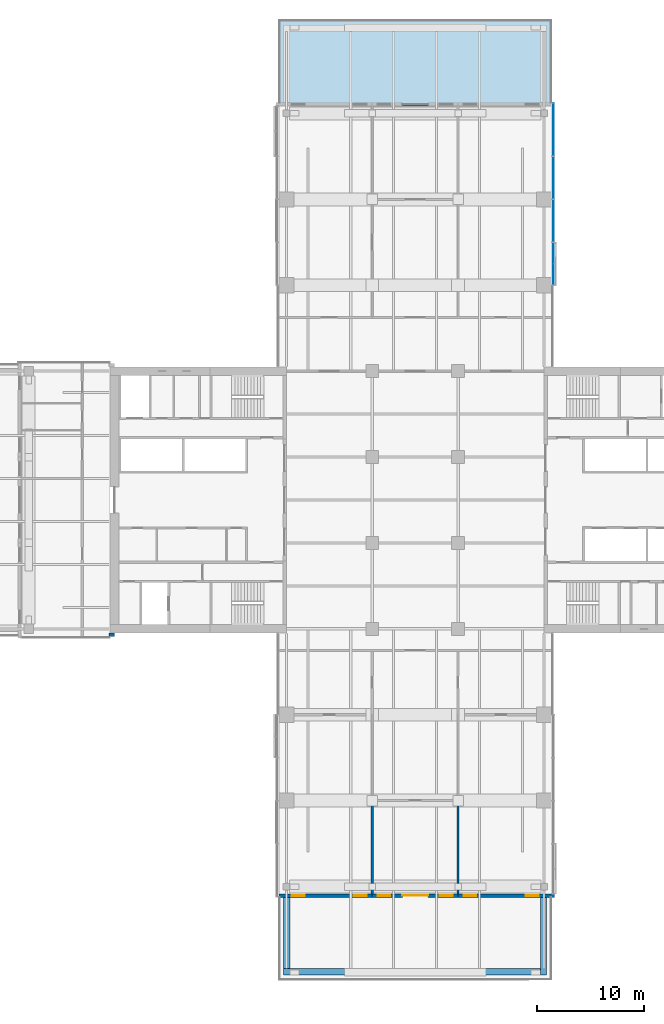
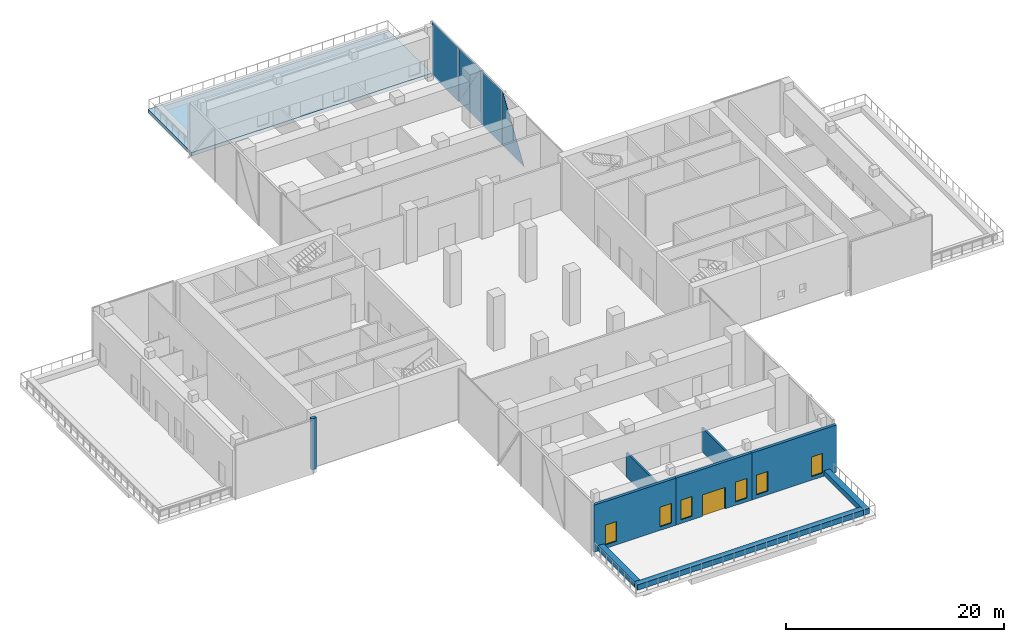
# One storey, part 13 of 23: 9 walls, 6 windows, 5 plates, 1 door, 1 slab, 7 openings, 1 element without a shape of its own.
"""IFC4 building model written with IfcOpenShell, lengths in metres."""

from ifc_helpers import new_model, si_unit, direction, frame, frame_2d, origin, place, context, subcontext, project, spatial, polyline, rectangle, outline, extrude, material, layer, layer_set, type_object, element, fill, aggregate, save


model = new_model("IFC4")

# Units and contexts
model_context = context("Model", 3, precision=1e-05, world=origin(), true_north=direction((0.0, 1.0)))
body_context = subcontext(model_context, "Body", "Model", "MODEL_VIEW")
ifc_project = project(units=[si_unit("LENGTHUNIT", "METRE"), si_unit("AREAUNIT", "SQUARE_METRE"), si_unit("VOLUMEUNIT", "CUBIC_METRE"), si_unit("PLANEANGLEUNIT", "RADIAN"), si_unit("MASSUNIT", "GRAM", prefix="KILO")], contexts=[model_context])

# Site, building, storey
site_placement = place(None, origin())
site = spatial("IfcSite", under=ifc_project, at=site_placement, CompositionType="ELEMENT")
building_placement = place(site_placement, origin())
building = spatial("IfcBuilding", under=site, at=building_placement, Name="Crosswind Convention Tower", CompositionType="ELEMENT")
storey_placement = place(building_placement, frame((0.0, 0.0, 47.5)))
storey = spatial("IfcBuildingStorey", under=building, at=storey_placement, Name="L06", CompositionType="ELEMENT", Elevation=47.5)

# Slab
ifc_material_1 = material(Name="Concrete C40/50", Category="concrete")
ifc_layer_1 = layer(ifc_material_1, 0.39990234375)
ifc_layer_set_1 = layer_set([ifc_layer_1], Name="Concrete C40/50")
slab_type = type_object("IfcSlabType", Name="TERRACE SLAB 400", PredefinedType="USERDEFINED", material=ifc_layer_set_1)
slab_placement = place(storey_placement, frame((0.0, 0.0, -0.39990234375)))
element("IfcSlab", 1, at=slab_placement, inside=storey, type_object=slab_type, Name="Terrace L06 N", ObjectType="TERRACE", PredefinedType="USERDEFINED", context=body_context, shape_type="SweptSolid", body=[
    extrude(outline(polyline([(113.0, 144.699951171875), (137.0, 144.699951171875), (137.699951171875, 144.699951171875), (137.699951171875, 144.0), (137.699951171875, 136.699951171875), (137.0, 136.699951171875), (113.0, 136.699951171875), (112.300048828125, 136.699951171875), (112.300048828125, 144.0), (112.300048828125, 144.699951171875), (113.0, 144.699951171875)])), origin(), (0.0, 0.0, 1.0), 0.39990234375),
])

# Curtain wall, plates
ifc_material_2 = material(Name="Aluminium unitised curtain wall", Category="aluminium")
curtain_wall_type = type_object("IfcCurtainWallType", Name="SKY LOBBY AND LOUNGE WALL 280", PredefinedType="USERDEFINED", material=ifc_material_2)
curtain_wall_placement = place(storey_placement, origin())
curtain_wall = element("IfcCurtainWall", 2, at=curtain_wall_placement, inside=storey, type_object=curtain_wall_type, Name="CW4 L06 N-E 1", ObjectType="UNITISED", PredefinedType="USERDEFINED")
ifc_material_3 = material(Name="Laminated insulating glass unit", Category="glass")
ifc_layer_2 = layer(ifc_material_3, 0.0400390625)
ifc_layer_set_2 = layer_set([ifc_layer_2], Name="TRIANGULAR GLASS PANEL 40")
plate_type = type_object("IfcPlateType", Name="TRIANGULAR GLASS PANEL 40", PredefinedType="CURTAIN_PANEL", material=ifc_layer_set_2)
plate_1_placement = place(storey_placement, frame((137.881103515625, 123.96240234375, -0.39990234375), z_axis=(0.999999933536, 0.0, 0.000364593859), x_axis=(-0.000364593859, 0.0, 0.999999933536)))
plate_1 = element("IfcPlate", 3, at=plate_1_placement, type_object=plate_type, Name="CW4 panel 1.1", PredefinedType="CURTAIN_PANEL", context=body_context, shape_type="SweptSolid", body=[
    extrude(outline(polyline([(0.0, 0.0), (6.02661172867979, 0.0), (0.0, 3.913085937500001), (0.0, 0.0)])), origin(), (0.0, 0.0, -1.0), 0.0400390625),
])
plate_2_placement = place(storey_placement, frame((137.881103515625, 124.03759765625, -0.39990234375), z_axis=(0.999999933938, 0.0, 0.000363489475), x_axis=(0.0, 1.0, 0.0)))
plate_2 = element("IfcPlate", 4, at=plate_2_placement, type_object=plate_type, Name="CW4 panel 2.1", PredefinedType="CURTAIN_PANEL", context=body_context, shape_type="SweptSolid", body=[
    extrude(outline(polyline([(0.0, 0.0), (3.9248046875, 0.0), (3.9248046875, 6.044922274341477), (0.0, 6.044922274341477), (0.0, 0.0)])), origin(), (0.0, 0.0, -1.0), 0.0400390625),
])
plate_3_placement = place(storey_placement, frame((137.87890625, 131.96240234375, 5.64501953125), z_axis=(0.999999933536, 0.0, 0.000364593859), x_axis=(0.0, -1.0, 0.0)))
plate_3 = element("IfcPlate", 5, at=plate_3_placement, type_object=plate_type, Name="CW4 panel 3.1", PredefinedType="CURTAIN_PANEL", context=body_context, shape_type="SweptSolid", body=[
    extrude(outline(polyline([(0.0, 0.0), (3.9130859375, 0.0), (0.0, 6.02661172867979), (0.0, 0.0)])), origin(), (0.0, 0.0, -1.0), 0.0400390625),
])
plate_4_placement = place(storey_placement, frame((137.923095703125, 128.03759765625, -0.39990234375), z_axis=(0.999999933536, 0.0, 0.000364593859), x_axis=(0.0, 1.0, 0.0)))
plate_4 = element("IfcPlate", 6, at=plate_4_placement, type_object=plate_type, Name="CW4 panel 3.2", PredefinedType="CURTAIN_PANEL", context=body_context, shape_type="SweptSolid", body=[
    extrude(outline(polyline([(0.0, 0.0), (3.9130859375, 0.0), (0.0, 6.02661172867979), (0.0, 0.0)])), origin(), (0.0, 0.0, -1.0), 0.0400390625),
])
plate_5_placement = place(storey_placement, frame((137.881103515625, 132.03759765625, -0.39990234375), z_axis=(0.999999933938, 0.0, 0.000363489475), x_axis=(0.0, 1.0, 0.0)))
plate_5 = element("IfcPlate", 7, at=plate_5_placement, type_object=plate_type, Name="CW4 panel 4.1", PredefinedType="CURTAIN_PANEL", context=body_context, shape_type="SweptSolid", body=[
    extrude(outline(polyline([(0.0, 0.0), (4.887451171875, 0.0), (4.887451171875, 6.044922274341477), (0.0, 6.044922274341477), (0.0, 0.0)])), origin(), (0.0, 0.0, -1.0), 0.0400390625),
])
aggregate(curtain_wall, [plate_1, plate_2, plate_3, plate_4, plate_5])

# Walls
ifc_material_4 = material(Name="Double plasterboard partition", Category="gypsum")
ifc_layer_3 = layer(ifc_material_4, 0.199951171875)
ifc_layer_set_3 = layer_set([ifc_layer_3], Name="HALL WALL 200")
wall_type_1 = type_object("IfcWallType", Name="HALL WALL 200", PredefinedType="PARTITIONING", material=ifc_layer_set_3)
for number, where, z_axis, x_axis, name in (
    (8, (121.0, 63.300048828125, 0.0), (0.0, 0.0, 1.0), (0.0, 1.0, 0.0), "Hall Wall 18"),
    (9, (129.0, 63.300048828125, 0.0), (0.0, 0.0, 1.0), (0.0, 1.0, 0.0), "Hall Wall 22"),
):
    element("IfcWall", number, at=place(storey_placement, frame(where, z_axis=z_axis, x_axis=x_axis)), inside=storey, type_object=wall_type_1, Name=name, PredefinedType="PARTITIONING", context=body_context, shape_type="SweptSolid", body=[
        extrude(rectangle(XDim=8.699951171875, YDim=0.199951171875, at=frame_2d((4.35009765625, 0.0))), origin(), (0.0, 0.0, 1.0), 2.699951171875),
    ])
ifc_material_5 = material(Name="Concrete C30/37", Category="concrete")
ifc_layer_4 = layer(ifc_material_5, 0.60009765625)
ifc_layer_set_4 = layer_set([ifc_layer_4], Name="Concrete C30/37")
wall_type_2 = type_object("IfcWallType", Name="PLANTER BOX WALL 600", PredefinedType="SOLIDWALL", material=ifc_layer_set_4)
wall_1_placement = place(storey_placement, frame((136.949951171875, 63.0, 0.0), z_axis=(0.0, 0.0, 1.0), x_axis=(0.0, -1.0, 0.0)))
element("IfcWall", 10, at=wall_1_placement, inside=storey, type_object=wall_type_2, Name="PLANTER L06 S 1", PredefinedType="SOLIDWALL", context=body_context, shape_type="SweptSolid", body=[
    extrude(rectangle(XDim=7.25, YDim=0.60009765625, at=frame_2d((3.625, 0.0))), origin(), (0.0, 0.0, 1.0), 0.60009765625),
])
wall_2_placement = place(storey_placement, frame((136.64990234375, 56.050048828125, 0.0), z_axis=(0.0, 0.0, 1.0), x_axis=(-1.0, 0.0, 0.0)))
element("IfcWall", 11, at=wall_2_placement, inside=storey, type_object=wall_type_2, Name="PLANTER L06 S 2", PredefinedType="SOLIDWALL", context=body_context, shape_type="SweptSolid", body=[
    extrude(rectangle(XDim=23.89990234375, YDim=0.60009765625, at=frame_2d((11.949951171875, 0.0))), origin(), (0.0, 0.0, 1.0), 0.60009765625),
])
wall_3_placement = place(storey_placement, frame((113.050048828125, 56.35009765625, 0.0), z_axis=(0.0, 0.0, 1.0), x_axis=(0.0, 1.0, 0.0)))
element("IfcWall", 12, at=wall_3_placement, inside=storey, type_object=wall_type_2, Name="PLANTER L06 S 3", PredefinedType="SOLIDWALL", context=body_context, shape_type="SweptSolid", body=[
    extrude(rectangle(XDim=6.64990234375, YDim=0.60009765625, at=frame_2d((3.324951171875, 0.0))), origin(), (0.0, 0.0, 1.0), 0.60009765625),
])
ifc_material_6 = material(Name="Terracotta rainscreen", Category="ceramic")
ifc_layer_5 = layer(ifc_material_6, 0.02001953125)
ifc_material_7 = material(Name="Mineral wool insulation", Category="insulation")
ifc_layer_6 = layer(ifc_material_7, 0.10009765625)
ifc_material_8 = material(Name="Concrete blockwork", Category="masonry")
ifc_layer_7 = layer(ifc_material_8, 0.199951171875)
ifc_layer_set_5 = layer_set([ifc_layer_5, ifc_layer_6, ifc_layer_7], Name="TERRACOTTA CORNER INFILL WALL 320")
wall_type_3 = type_object("IfcWallType", Name="TERRACOTTA CORNER INFILL WALL 320", PredefinedType="SOLIDWALL", material=ifc_layer_set_5)
wall_4_placement = place(storey_placement, frame((96.4951171875, 87.4599609375, 0.0), z_axis=(0.0, 0.0, 1.0), x_axis=(1.0, 0.0, 0.0)))
element("IfcWall", 13, at=wall_4_placement, inside=storey, type_object=wall_type_3, Name="Core corner infill wall L06 3", PredefinedType="SOLIDWALL", context=body_context, shape_type="SweptSolid", body=[
    extrude(rectangle(XDim=0.5048828125, YDim=0.320068359375, at=frame_2d((0.25244140625, 0.0))), origin(), (0.0, 0.0, 1.0), 5.719970703125),
])

# Wall, openings, windows
ifc_layer_8 = layer(ifc_material_6, 0.02001953125)
ifc_layer_9 = layer(ifc_material_7, 0.10009765625)
ifc_layer_10 = layer(ifc_material_8, 0.179931640625)
ifc_layer_set_6 = layer_set([ifc_layer_8, ifc_layer_9, ifc_layer_10], Name="TERRACOTTA INFILL WALL 300")
wall_type_4 = type_object("IfcWallType", Name="TERRACOTTA INFILL WALL 300", PredefinedType="SOLIDWALL", material=ifc_layer_set_6)
wall_5_placement = place(storey_placement, frame((112.300048828125, 63.14990234375, 0.0), z_axis=(0.0, 0.0, 1.0), x_axis=(1.0, 0.0, 0.0)))
wall_5 = element("IfcWall", 14, at=wall_5_placement, inside=storey, type_object=wall_type_4, Name="Terrace front wall L06 S-TIP.1-1", PredefinedType="SOLIDWALL", context=body_context, shape_type="SweptSolid", body=[
    extrude(rectangle(XDim=8.699951171875, YDim=0.300048828125, at=frame_2d((4.35009765625, 0.0))), origin(), (0.0, 0.0, 1.0), 5.259765625),
])
opening_1_placement = place(wall_5_placement, frame((1.199951171875, 0.0, 0.39990234375)))
opening_1 = element("IfcOpeningElement", 15, at=opening_1_placement, cuts=wall_5, Name="Opening W10", PredefinedType="OPENING", context=body_context, shape_type="SweptSolid", body=[
    extrude(rectangle(XDim=1.199951171875, YDim=2.199951171875, at=frame_2d((0.60009765625, 1.10009765625))), frame((0.0, 0.159912109375, 0.0), z_axis=(0.0, -1.0, 0.0), x_axis=(1.0, 0.0, 0.0)), (0.0, 0.0, 1.0), 0.320068359375),
])
opening_2_placement = place(wall_5_placement, frame((7.0, 0.0, 0.39990234375)))
opening_2 = element("IfcOpeningElement", 16, at=opening_2_placement, cuts=wall_5, Name="Opening W10", PredefinedType="OPENING", context=body_context, shape_type="SweptSolid", body=[
    extrude(rectangle(XDim=1.199951171875, YDim=2.199951171875, at=frame_2d((0.60009765625, 1.10009765625))), frame((0.0, 0.159912109375, 0.0), z_axis=(0.0, -1.0, 0.0), x_axis=(1.0, 0.0, 0.0)), (0.0, 0.0, 1.0), 0.320068359375),
])
ifc_material_9 = material(Name="Aluminium window", Category="aluminium")
window_type = type_object("IfcWindowType", Name="TERRACE FRONT WINDOW 1200X2200", PartitioningType="SINGLE_PANEL", PredefinedType="WINDOW", material=ifc_material_9)
window_1_placement = place(opening_1_placement, origin())
window_1 = element("IfcWindow", 17, at=window_1_placement, inside=storey, type_object=window_type, Name="W10 terrace window L06 S-TIP.1-1.1", ObjectType="W10", OverallHeight=2.199951171875, OverallWidth=1.199951171875, PartitioningType="SINGLE_PANEL", PredefinedType="WINDOW", context=body_context, shape_type="SweptSolid", body=[
    extrude(rectangle(XDim=1.199951171875, YDim=2.199951171875, at=frame_2d((0.60009765625, 1.10009765625))), frame((0.0, 0.030029296875, 0.0), z_axis=(0.0, -1.0, 0.0), x_axis=(1.0, 0.0, 0.0)), (0.0, 0.0, 1.0), 0.06005859375),
])
fill(opening_1, window_1)
window_2_placement = place(opening_2_placement, origin())
window_2 = element("IfcWindow", 18, at=window_2_placement, inside=storey, type_object=window_type, Name="W10 terrace window L06 S-TIP.1-1.2", ObjectType="W10", OverallHeight=2.199951171875, OverallWidth=1.199951171875, PartitioningType="SINGLE_PANEL", PredefinedType="WINDOW", context=body_context, shape_type="SweptSolid", body=[
    extrude(rectangle(XDim=1.199951171875, YDim=2.199951171875, at=frame_2d((0.60009765625, 1.10009765625))), frame((0.0, 0.030029296875, 0.0), z_axis=(0.0, -1.0, 0.0), x_axis=(1.0, 0.0, 0.0)), (0.0, 0.0, 1.0), 0.06005859375),
])
fill(opening_2, window_2)

# Wall, openings, door, windows
wall_6_placement = place(storey_placement, frame((121.0, 63.14990234375, 0.0), z_axis=(0.0, 0.0, 1.0), x_axis=(1.0, 0.0, 0.0)))
wall_6 = element("IfcWall", 19, at=wall_6_placement, inside=storey, type_object=wall_type_4, Name="Terrace front wall L06 S-TIP.1-2", PredefinedType="SOLIDWALL", context=body_context, shape_type="SweptSolid", body=[
    extrude(rectangle(XDim=8.0, YDim=0.300048828125, at=frame_2d((4.0, 0.0))), origin(), (0.0, 0.0, 1.0), 5.259765625),
])
opening_3_placement = place(wall_6_placement, frame((2.800048828125, 0.0, 0.0)))
opening_3 = element("IfcOpeningElement", 20, at=opening_3_placement, cuts=wall_6, Name="Opening D140", PredefinedType="OPENING", context=body_context, shape_type="SweptSolid", body=[
    extrude(rectangle(XDim=2.39990234375, YDim=2.39990234375, at=frame_2d((1.199951171875, 1.199951171875))), frame((0.0, 0.159912109375, 0.0), z_axis=(0.0, -1.0, 0.0), x_axis=(1.0, 0.0, 0.0)), (0.0, 0.0, 1.0), 0.320068359375),
])
opening_4_placement = place(wall_6_placement, frame((0.5, 0.0, 0.39990234375)))
opening_4 = element("IfcOpeningElement", 21, at=opening_4_placement, cuts=wall_6, Name="Opening W10", PredefinedType="OPENING", context=body_context, shape_type="SweptSolid", body=[
    extrude(rectangle(XDim=1.199951171875, YDim=2.199951171875, at=frame_2d((0.60009765625, 1.10009765625))), frame((0.0, 0.159912109375, 0.0), z_axis=(0.0, -1.0, 0.0), x_axis=(1.0, 0.0, 0.0)), (0.0, 0.0, 1.0), 0.320068359375),
])
opening_5_placement = place(wall_6_placement, frame((6.300048828125, 0.0, 0.39990234375)))
opening_5 = element("IfcOpeningElement", 22, at=opening_5_placement, cuts=wall_6, Name="Opening W10", PredefinedType="OPENING", context=body_context, shape_type="SweptSolid", body=[
    extrude(rectangle(XDim=1.199951171875, YDim=2.199951171875, at=frame_2d((0.60009765625, 1.10009765625))), frame((0.0, 0.159912109375, 0.0), z_axis=(0.0, -1.0, 0.0), x_axis=(1.0, 0.0, 0.0)), (0.0, 0.0, 1.0), 0.320068359375),
])
ifc_material_10 = material(Name="Aluminium glazed door", Category="aluminium")
door_type = type_object("IfcDoorType", Name="GLAZED DOUBLE DOOR 2400X2400", OperationType="DOUBLE_DOOR_SINGLE_SWING", PredefinedType="DOOR", material=ifc_material_10)
door_placement = place(opening_3_placement, frame((2.39990234375, 0.0, 0.0), z_axis=(0.0, 0.0, 1.0), x_axis=(-1.0, 0.0, 0.0)))
door = element("IfcDoor", 23, at=door_placement, inside=storey, type_object=door_type, Name="D140 terrace door L06 S-TIP.1-2", ObjectType="D140", OperationType="DOUBLE_DOOR_SINGLE_SWING", OverallHeight=2.39990234375, OverallWidth=2.39990234375, PredefinedType="DOOR", context=body_context, shape_type="SweptSolid", body=[
    extrude(rectangle(XDim=2.39990234375, YDim=2.39990234375, at=frame_2d((1.199951171875, 1.199951171875))), frame((0.0, 0.02490234375, 0.0), z_axis=(0.0, -1.0, 0.0), x_axis=(1.0, 0.0, 0.0)), (0.0, 0.0, 1.0), 0.050048828125),
])
fill(opening_3, door)
window_3_placement = place(opening_4_placement, origin())
window_3 = element("IfcWindow", 24, at=window_3_placement, inside=storey, type_object=window_type, Name="W10 terrace window L06 S-TIP.1-2.1", ObjectType="W10", OverallHeight=2.199951171875, OverallWidth=1.199951171875, PartitioningType="SINGLE_PANEL", PredefinedType="WINDOW", context=body_context, shape_type="SweptSolid", body=[
    extrude(rectangle(XDim=1.199951171875, YDim=2.199951171875, at=frame_2d((0.60009765625, 1.10009765625))), frame((0.0, 0.030029296875, 0.0), z_axis=(0.0, -1.0, 0.0), x_axis=(1.0, 0.0, 0.0)), (0.0, 0.0, 1.0), 0.06005859375),
])
fill(opening_4, window_3)
window_4_placement = place(opening_5_placement, origin())
window_4 = element("IfcWindow", 25, at=window_4_placement, inside=storey, type_object=window_type, Name="W10 terrace window L06 S-TIP.1-2.2", ObjectType="W10", OverallHeight=2.199951171875, OverallWidth=1.199951171875, PartitioningType="SINGLE_PANEL", PredefinedType="WINDOW", context=body_context, shape_type="SweptSolid", body=[
    extrude(rectangle(XDim=1.199951171875, YDim=2.199951171875, at=frame_2d((0.60009765625, 1.10009765625))), frame((0.0, 0.030029296875, 0.0), z_axis=(0.0, -1.0, 0.0), x_axis=(1.0, 0.0, 0.0)), (0.0, 0.0, 1.0), 0.06005859375),
])
fill(opening_5, window_4)

# Wall, openings, windows
wall_7_placement = place(storey_placement, frame((129.0, 63.14990234375, 0.0), z_axis=(0.0, 0.0, 1.0), x_axis=(1.0, 0.0, 0.0)))
wall_7 = element("IfcWall", 26, at=wall_7_placement, inside=storey, type_object=wall_type_4, Name="Terrace front wall L06 S-TIP.1-3", PredefinedType="SOLIDWALL", context=body_context, shape_type="SweptSolid", body=[
    extrude(rectangle(XDim=8.97998046875, YDim=0.300048828125, at=frame_2d((4.489990234375, 0.0))), origin(), (0.0, 0.0, 1.0), 5.259765625),
])
opening_6_placement = place(wall_7_placement, frame((0.5, 0.0, 0.39990234375)))
opening_6 = element("IfcOpeningElement", 27, at=opening_6_placement, cuts=wall_7, Name="Opening W10", PredefinedType="OPENING", context=body_context, shape_type="SweptSolid", body=[
    extrude(rectangle(XDim=1.199951171875, YDim=2.199951171875, at=frame_2d((0.60009765625, 1.10009765625))), frame((0.0, 0.159912109375, 0.0), z_axis=(0.0, -1.0, 0.0), x_axis=(1.0, 0.0, 0.0)), (0.0, 0.0, 1.0), 0.320068359375),
])
opening_7_placement = place(wall_7_placement, frame((6.300048828125, 0.0, 0.39990234375)))
opening_7 = element("IfcOpeningElement", 28, at=opening_7_placement, cuts=wall_7, Name="Opening W10", PredefinedType="OPENING", context=body_context, shape_type="SweptSolid", body=[
    extrude(rectangle(XDim=1.199951171875, YDim=2.199951171875, at=frame_2d((0.60009765625, 1.10009765625))), frame((0.0, 0.159912109375, 0.0), z_axis=(0.0, -1.0, 0.0), x_axis=(1.0, 0.0, 0.0)), (0.0, 0.0, 1.0), 0.320068359375),
])
window_5_placement = place(opening_6_placement, origin())
window_5 = element("IfcWindow", 29, at=window_5_placement, inside=storey, type_object=window_type, Name="W10 terrace window L06 S-TIP.1-3.1", ObjectType="W10", OverallHeight=2.199951171875, OverallWidth=1.199951171875, PartitioningType="SINGLE_PANEL", PredefinedType="WINDOW", context=body_context, shape_type="SweptSolid", body=[
    extrude(rectangle(XDim=1.199951171875, YDim=2.199951171875, at=frame_2d((0.60009765625, 1.10009765625))), frame((0.0, 0.030029296875, 0.0), z_axis=(0.0, -1.0, 0.0), x_axis=(1.0, 0.0, 0.0)), (0.0, 0.0, 1.0), 0.06005859375),
])
fill(opening_6, window_5)
window_6_placement = place(opening_7_placement, origin())
window_6 = element("IfcWindow", 30, at=window_6_placement, inside=storey, type_object=window_type, Name="W10 terrace window L06 S-TIP.1-3.2", ObjectType="W10", OverallHeight=2.199951171875, OverallWidth=1.199951171875, PartitioningType="SINGLE_PANEL", PredefinedType="WINDOW", context=body_context, shape_type="SweptSolid", body=[
    extrude(rectangle(XDim=1.199951171875, YDim=2.199951171875, at=frame_2d((0.60009765625, 1.10009765625))), frame((0.0, 0.030029296875, 0.0), z_axis=(0.0, -1.0, 0.0), x_axis=(1.0, 0.0, 0.0)), (0.0, 0.0, 1.0), 0.06005859375),
])
fill(opening_7, window_6)

save(model, "model.ifc")
